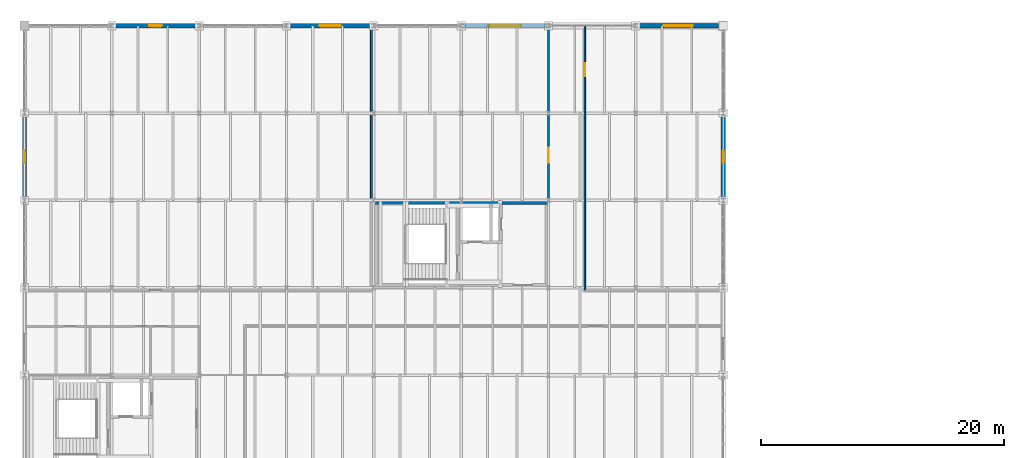
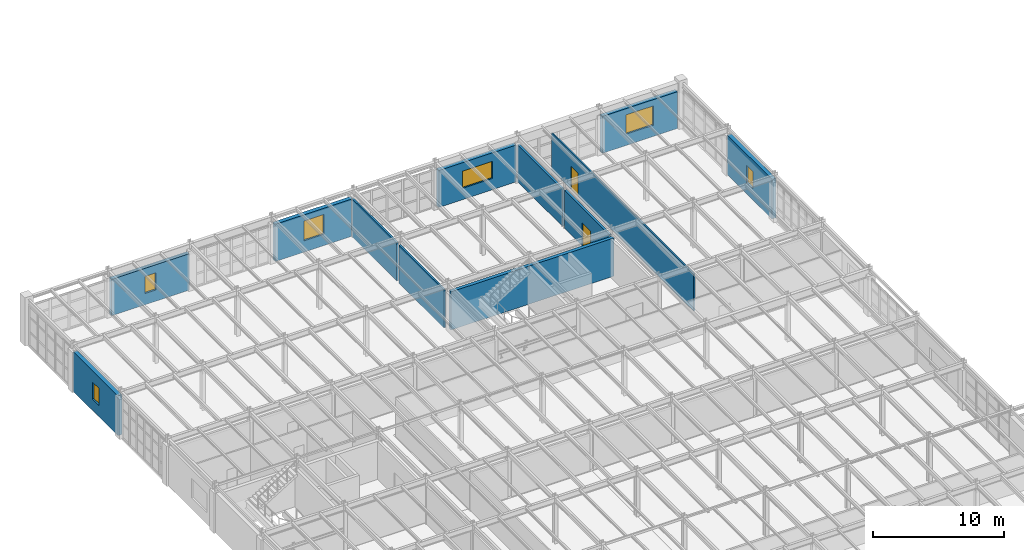
# One storey, part 127 of 137: 12 walls, 6 windows, 2 doors, 8 openings.
"""IFC4 building model written with IfcOpenShell, lengths in metres."""

from ifc_helpers import new_model, si_unit, direction, frame, frame_2d, origin, place, context, subcontext, project, spatial, rectangle, extrude, material, layer, layer_set, type_object, element, fill, save


model = new_model("IFC4")

# Units and contexts
model_context = context("Model", 3, precision=1e-05, world=origin(), true_north=direction((0.0, 1.0)))
body_context = subcontext(model_context, "Body", "Model", "MODEL_VIEW")
ifc_project = project(units=[si_unit("LENGTHUNIT", "METRE"), si_unit("AREAUNIT", "SQUARE_METRE"), si_unit("VOLUMEUNIT", "CUBIC_METRE"), si_unit("PLANEANGLEUNIT", "RADIAN"), si_unit("MASSUNIT", "GRAM", prefix="KILO")], contexts=[model_context])

# Site, building, storey
site_placement = place(None, origin())
site = spatial("IfcSite", under=ifc_project, at=site_placement, CompositionType="ELEMENT")
building_placement = place(site_placement, origin())
building = spatial("IfcBuilding", under=site, at=building_placement, Name="Kemerveld Promenade Tramway Depot", CompositionType="ELEMENT")
storey_placement = place(building_placement, frame((0.0, 0.0, 5.39990234375)))
storey = spatial("IfcBuildingStorey", under=building, at=storey_placement, Name="L01", CompositionType="ELEMENT", Elevation=5.39990234375)

# Wall
ifc_material_1 = material(Name="Concrete C40/50", Category="concrete")
ifc_layer_1 = layer(ifc_material_1, 0.300048828125)
ifc_layer_set_1 = layer_set([ifc_layer_1], Name="WL-CORE-300")
wall_type_1 = type_object("IfcWallType", Name="WL-CORE-300", PredefinedType="SHEAR", material=ifc_layer_set_1)
wall_1_placement = place(storey_placement, frame((28.85009765625, 64.60009765625, 0.0), z_axis=(0.0, 0.0, 1.0), x_axis=(1.0, 0.0, 0.0)))
element("IfcWall", 1, at=wall_1_placement, inside=storey, type_object=wall_type_1, Name="WL-C3-L01-N", PredefinedType="SHEAR", context=body_context, shape_type="SweptSolid", body=[
    extrude(rectangle(XDim=14.349853515625, YDim=0.300048828125, at=frame_2d((7.1748046875, 0.0))), origin(), (0.0, 0.0, 1.0), 3.550048828125),
])

# Wall, opening, window
ifc_material_2 = material(Name="Banded granite and red-ochre clay brick masonry", Category="masonry")
ifc_layer_2 = layer(ifc_material_2, 0.35009765625)
ifc_layer_set_2 = layer_set([ifc_layer_2], Name="WL-EXT-350")
wall_type_2 = type_object("IfcWallType", Name="WL-EXT-350", PredefinedType="SOLIDWALL", material=ifc_layer_set_2)
wall_2_placement = place(storey_placement, frame((0.0, 64.9833984375, 0.0), z_axis=(0.0, 0.0, 1.0), x_axis=(0.0, 1.0, 0.0)))
wall_2 = element("IfcWall", 2, at=wall_2_placement, inside=storey, type_object=wall_type_2, Name="WL-L01-V5W-10", PredefinedType="SOLIDWALL", context=body_context, shape_type="SweptSolid", body=[
    extrude(rectangle(XDim=6.8330078125, YDim=0.35009765625, at=frame_2d((3.41650390625, 0.0))), origin(), (0.0, 0.0, 1.0), 3.70361328125),
])
opening_1_placement = place(wall_2_placement, frame((2.916015625, 0.0, 1.050048828125)))
opening_1 = element("IfcOpeningElement", 3, at=opening_1_placement, cuts=wall_2, Name="Opening W-145", PredefinedType="OPENING", context=body_context, shape_type="SweptSolid", body=[
    extrude(rectangle(XDim=1.0, YDim=1.60009765625, at=frame_2d((0.5, 0.800048828125))), frame((0.0, 0.18505859375, 0.0), z_axis=(0.0, -1.0, 0.0), x_axis=(1.0, 0.0, 0.0)), (0.0, 0.0, 1.0), 0.3701171875),
])
ifc_material_3 = material(Name="Bronze anodised aluminium and low-e glass", Category="aluminium")
window_type_1 = type_object("IfcWindowType", Name="WN-20", PartitioningType="SINGLE_PANEL", PredefinedType="WINDOW", material=ifc_material_3)
window_1_placement = place(opening_1_placement, origin())
window_1 = element("IfcWindow", 4, at=window_1_placement, inside=storey, type_object=window_type_1, Name="WN-L01-V5W-10", OverallHeight=1.60009765625, OverallWidth=1.0, PartitioningType="SINGLE_PANEL", PredefinedType="WINDOW", context=body_context, shape_type="SweptSolid", body=[
    extrude(rectangle(XDim=1.0, YDim=1.60009765625, at=frame_2d((0.5, 0.800048828125))), frame((0.0, 0.030029296875, 0.0), z_axis=(0.0, -1.0, 0.0), x_axis=(1.0, 0.0, 0.0)), (0.0, 0.0, 1.0), 0.06005859375),
])
fill(opening_1, window_1)

wall_3_placement = place(storey_placement, frame((7.383544921875, 79.199951171875, 0.0), z_axis=(0.0, 0.0, 1.0), x_axis=(1.0, 0.0, 0.0)))
wall_3 = element("IfcWall", 5, at=wall_3_placement, inside=storey, type_object=wall_type_2, Name="WL-L01-V5N-02", PredefinedType="SOLIDWALL", context=body_context, shape_type="SweptSolid", body=[
    extrude(rectangle(XDim=6.8330078125, YDim=0.35009765625, at=frame_2d((3.41650390625, 0.0))), origin(), (0.0, 0.0, 1.0), 3.389404296875),
])
opening_2_placement = place(wall_3_placement, frame((2.916015625, 0.0, 1.050048828125)))
opening_2 = element("IfcOpeningElement", 6, at=opening_2_placement, cuts=wall_3, Name="Opening W-146", PredefinedType="OPENING", context=body_context, shape_type="SweptSolid", body=[
    extrude(rectangle(XDim=1.0, YDim=1.60009765625, at=frame_2d((0.5, 0.800048828125))), frame((0.0, 0.18505859375, 0.0), z_axis=(0.0, -1.0, 0.0), x_axis=(1.0, 0.0, 0.0)), (0.0, 0.0, 1.0), 0.3701171875),
])
window_2_placement = place(opening_2_placement, origin())
window_2 = element("IfcWindow", 7, at=window_2_placement, inside=storey, type_object=window_type_1, Name="WN-L01-V5N-02", OverallHeight=1.60009765625, OverallWidth=1.0, PartitioningType="SINGLE_PANEL", PredefinedType="WINDOW", context=body_context, shape_type="SweptSolid", body=[
    extrude(rectangle(XDim=1.0, YDim=1.60009765625, at=frame_2d((0.5, 0.800048828125))), frame((0.0, 0.030029296875, 0.0), z_axis=(0.0, -1.0, 0.0), x_axis=(1.0, 0.0, 0.0)), (0.0, 0.0, 1.0), 0.06005859375),
])
fill(opening_2, window_2)

wall_4_placement = place(storey_placement, frame((21.78369140625, 79.199951171875, 0.0), z_axis=(0.0, 0.0, 1.0), x_axis=(1.0, 0.0, 0.0)))
wall_4 = element("IfcWall", 8, at=wall_4_placement, inside=storey, type_object=wall_type_2, Name="WL-L01-V5N-04", PredefinedType="SOLIDWALL", context=body_context, shape_type="SweptSolid", body=[
    extrude(rectangle(XDim=6.832763671875, YDim=0.35009765625, at=frame_2d((3.41650390625, 0.0))), origin(), (0.0, 0.0, 1.0), 3.477783203125),
])
opening_3_placement = place(wall_4_placement, frame((2.541015625, 0.0, 1.050048828125)))
opening_3 = element("IfcOpeningElement", 9, at=opening_3_placement, cuts=wall_4, Name="Opening W-147", PredefinedType="OPENING", context=body_context, shape_type="SweptSolid", body=[
    extrude(rectangle(XDim=1.75, YDim=1.85009765625, at=frame_2d((0.875, 0.925048828125))), frame((0.0, 0.18505859375, 0.0), z_axis=(0.0, -1.0, 0.0), x_axis=(1.0, 0.0, 0.0)), (0.0, 0.0, 1.0), 0.3701171875),
])
window_type_2 = type_object("IfcWindowType", Name="WN-30", PartitioningType="SINGLE_PANEL", PredefinedType="WINDOW", material=ifc_material_3)
window_3_placement = place(opening_3_placement, origin())
window_3 = element("IfcWindow", 10, at=window_3_placement, inside=storey, type_object=window_type_2, Name="WN-L01-V5N-04", OverallHeight=1.85009765625, OverallWidth=1.75, PartitioningType="SINGLE_PANEL", PredefinedType="WINDOW", context=body_context, shape_type="SweptSolid", body=[
    extrude(rectangle(XDim=1.75, YDim=1.85009765625, at=frame_2d((0.875, 0.925048828125))), frame((0.0, 0.030029296875, 0.0), z_axis=(0.0, -1.0, 0.0), x_axis=(1.0, 0.0, 0.0)), (0.0, 0.0, 1.0), 0.06005859375),
])
fill(opening_3, window_3)

wall_5_placement = place(storey_placement, frame((36.18359375, 79.199951171875, 0.0), z_axis=(0.0, 0.0, 1.0), x_axis=(1.0, 0.0, 0.0)))
wall_5 = element("IfcWall", 11, at=wall_5_placement, inside=storey, type_object=wall_type_2, Name="WL-L01-V5N-06", PredefinedType="SOLIDWALL", context=body_context, shape_type="SweptSolid", body=[
    extrude(rectangle(XDim=6.8330078125, YDim=0.35009765625, at=frame_2d((3.41650390625, 0.0))), origin(), (0.0, 0.0, 1.0), 3.440185546875),
])
opening_4_placement = place(wall_5_placement, frame((2.091064453125, 0.0, 1.050048828125)))
opening_4 = element("IfcOpeningElement", 12, at=opening_4_placement, cuts=wall_5, Name="Opening W-148", PredefinedType="OPENING", context=body_context, shape_type="SweptSolid", body=[
    extrude(rectangle(XDim=2.64990234375, YDim=1.60009765625, at=frame_2d((1.324951171875, 0.800048828125))), frame((0.0, 0.18505859375, 0.0), z_axis=(0.0, -1.0, 0.0), x_axis=(1.0, 0.0, 0.0)), (0.0, 0.0, 1.0), 0.3701171875),
])
window_type_3 = type_object("IfcWindowType", Name="WN-40", PartitioningType="SINGLE_PANEL", PredefinedType="WINDOW", material=ifc_material_3)
window_4_placement = place(opening_4_placement, origin())
window_4 = element("IfcWindow", 13, at=window_4_placement, inside=storey, type_object=window_type_3, Name="WN-L01-V5N-06", OverallHeight=1.60009765625, OverallWidth=2.64990234375, PartitioningType="SINGLE_PANEL", PredefinedType="WINDOW", context=body_context, shape_type="SweptSolid", body=[
    extrude(rectangle(XDim=2.64990234375, YDim=1.60009765625, at=frame_2d((1.324951171875, 0.800048828125))), frame((0.0, 0.030029296875, 0.0), z_axis=(0.0, -1.0, 0.0), x_axis=(1.0, 0.0, 0.0)), (0.0, 0.0, 1.0), 0.06005859375),
])
fill(opening_4, window_4)

wall_6_placement = place(storey_placement, frame((50.58349609375, 79.199951171875, 0.0), z_axis=(0.0, 0.0, 1.0), x_axis=(1.0, 0.0, 0.0)))
wall_6 = element("IfcWall", 14, at=wall_6_placement, inside=storey, type_object=wall_type_2, Name="WL-L01-V5N-08", PredefinedType="SOLIDWALL", context=body_context, shape_type="SweptSolid", body=[
    extrude(rectangle(XDim=6.62158203125, YDim=0.35009765625, at=frame_2d((3.310791015625, 0.0))), origin(), (0.0, 0.0, 1.0), 3.440185546875),
])
opening_5_placement = place(wall_6_placement, frame((2.111083984375, 0.0, 1.050048828125)))
opening_5 = element("IfcOpeningElement", 15, at=opening_5_placement, cuts=wall_6, Name="Opening W-149", PredefinedType="OPENING", context=body_context, shape_type="SweptSolid", body=[
    extrude(rectangle(XDim=2.39990234375, YDim=1.800048828125, at=frame_2d((1.199951171875, 0.89990234375))), frame((0.0, 0.18505859375, 0.0), z_axis=(0.0, -1.0, 0.0), x_axis=(1.0, 0.0, 0.0)), (0.0, 0.0, 1.0), 0.3701171875),
])
window_type_4 = type_object("IfcWindowType", Name="WN-10", PartitioningType="SINGLE_PANEL", PredefinedType="WINDOW", material=ifc_material_3)
window_5_placement = place(opening_5_placement, origin())
window_5 = element("IfcWindow", 16, at=window_5_placement, inside=storey, type_object=window_type_4, Name="WN-L01-V5N-08", OverallHeight=1.800048828125, OverallWidth=2.39990234375, PartitioningType="SINGLE_PANEL", PredefinedType="WINDOW", context=body_context, shape_type="SweptSolid", body=[
    extrude(rectangle(XDim=2.39990234375, YDim=1.800048828125, at=frame_2d((1.199951171875, 0.89990234375))), frame((0.0, 0.030029296875, 0.0), z_axis=(0.0, -1.0, 0.0), x_axis=(1.0, 0.0, 0.0)), (0.0, 0.0, 1.0), 0.06005859375),
])
fill(opening_5, window_5)

wall_7_placement = place(storey_placement, frame((57.60009765625, 71.81640625, 0.0), z_axis=(0.0, 0.0, 1.0), x_axis=(0.0, -1.0, 0.0)))
wall_7 = element("IfcWall", 17, at=wall_7_placement, inside=storey, type_object=wall_type_2, Name="WL-L01-V5E-02", PredefinedType="SOLIDWALL", context=body_context, shape_type="SweptSolid", body=[
    extrude(rectangle(XDim=6.8330078125, YDim=0.35009765625, at=frame_2d((3.41650390625, 0.0))), origin(), (0.0, 0.0, 1.0), 3.70361328125),
])
opening_6_placement = place(wall_7_placement, frame((2.916015625, 0.0, 1.050048828125)))
opening_6 = element("IfcOpeningElement", 18, at=opening_6_placement, cuts=wall_7, Name="Opening W-150", PredefinedType="OPENING", context=body_context, shape_type="SweptSolid", body=[
    extrude(rectangle(XDim=1.0, YDim=1.60009765625, at=frame_2d((0.5, 0.800048828125))), frame((0.0, 0.18505859375, 0.0), z_axis=(0.0, -1.0, 0.0), x_axis=(1.0, 0.0, 0.0)), (0.0, 0.0, 1.0), 0.3701171875),
])
window_6_placement = place(opening_6_placement, origin())
window_6 = element("IfcWindow", 19, at=window_6_placement, inside=storey, type_object=window_type_1, Name="WN-L01-V5E-02", OverallHeight=1.60009765625, OverallWidth=1.0, PartitioningType="SINGLE_PANEL", PredefinedType="WINDOW", context=body_context, shape_type="SweptSolid", body=[
    extrude(rectangle(XDim=1.0, YDim=1.60009765625, at=frame_2d((0.5, 0.800048828125))), frame((0.0, 0.030029296875, 0.0), z_axis=(0.0, -1.0, 0.0), x_axis=(1.0, 0.0, 0.0)), (0.0, 0.0, 1.0), 0.06005859375),
])
fill(opening_6, window_6)

# Wall, opening, door
ifc_material_4 = material(Name="Moisture-resistant masonry partition", Category="masonry")
ifc_layer_3 = layer(ifc_material_4, 0.1298828125)
ifc_layer_set_3 = layer_set([ifc_layer_3], Name="WL-PRT-130")
wall_type_3 = type_object("IfcWallType", Name="WL-PRT-130", PredefinedType="PARTITIONING", material=ifc_layer_set_3)
wall_8_placement = place(storey_placement, frame((46.199951171875, 57.39990234375, 0.0), z_axis=(0.0, 0.0, 1.0), x_axis=(0.0, 1.0, 0.0)))
wall_8 = element("IfcWall", 20, at=wall_8_placement, inside=storey, type_object=wall_type_3, Name="WL-PRT-RM-L01-V5-RECS", PredefinedType="PARTITIONING", context=body_context, shape_type="SweptSolid", body=[
    extrude(rectangle(XDim=21.7001953125, YDim=0.1298828125, at=frame_2d((10.85009765625, 0.0))), origin(), (0.0, 0.0, 1.0), 3.43505859375),
])
opening_7_placement = place(wall_8_placement, frame((17.6279296875, 0.0, 0.0)))
opening_7 = element("IfcOpeningElement", 21, at=opening_7_placement, cuts=wall_8, Name="Opening D-653", PredefinedType="OPENING", context=body_context, shape_type="SweptSolid", body=[
    extrude(rectangle(XDim=1.080078125, YDim=2.14990234375, at=frame_2d((0.5400390625, 1.074951171875))), frame((0.0, 0.074951171875, 0.0), z_axis=(0.0, -1.0, 0.0), x_axis=(1.0, 0.0, 0.0)), (0.0, 0.0, 1.0), 0.14990234375),
])
ifc_material_5 = material(Name="Glazed seminar door")
door_type_1 = type_object("IfcDoorType", Name="DR-INT11", OperationType="NOTDEFINED", PredefinedType="DOOR", material=ifc_material_5)
door_1_placement = place(opening_7_placement, origin())
door_1 = element("IfcDoor", 22, at=door_1_placement, inside=storey, type_object=door_type_1, Name="DR-RM-RM-L01-V5-RECS", OperationType="SINGLE_SWING_RIGHT", OverallHeight=2.14990234375, OverallWidth=1.080078125, PredefinedType="DOOR", context=body_context, shape_type="SweptSolid", body=[
    extrude(rectangle(XDim=1.080078125, YDim=2.14990234375, at=frame_2d((0.5400390625, 1.074951171875))), frame((0.0, 0.02490234375, 0.0), z_axis=(0.0, -1.0, 0.0), x_axis=(1.0, 0.0, 0.0)), (0.0, 0.0, 1.0), 0.050048828125),
])
fill(opening_7, door_1)

# Walls
ifc_material_6 = material(Name="Acoustic twin-stud gypsum partition")
ifc_layer_4 = layer(ifc_material_6, 0.159912109375)
ifc_layer_set_4 = layer_set([ifc_layer_4], Name="WL-PRT-160")
wall_type_4 = type_object("IfcWallType", Name="WL-PRT-160", PredefinedType="PARTITIONING", material=ifc_layer_set_4)
wall_9_placement = place(storey_placement, frame((28.60009765625, 64.966064453125, 0.0), z_axis=(0.0, 0.0, 1.0), x_axis=(0.0, 1.0, 0.0)))
element("IfcWall", 23, at=wall_9_placement, inside=storey, type_object=wall_type_4, Name="WL-DIV-L01-040", PredefinedType="PARTITIONING", context=body_context, shape_type="SweptSolid", body=[
    extrude(rectangle(XDim=6.867919921875, YDim=0.159912109375, at=frame_2d((3.43408203125, 0.0))), origin(), (0.0, 0.0, 1.0), 3.550048828125),
])
wall_10_placement = place(storey_placement, frame((28.60009765625, 72.166015625, 0.0), z_axis=(0.0, 0.0, 1.0), x_axis=(0.0, 1.0, 0.0)))
element("IfcWall", 24, at=wall_10_placement, inside=storey, type_object=wall_type_4, Name="WL-DIV-L01-041", PredefinedType="PARTITIONING", context=body_context, shape_type="SweptSolid", body=[
    extrude(rectangle(XDim=6.85888671875, YDim=0.159912109375, at=frame_2d((3.429443359375, 0.0))), origin(), (0.0, 0.0, 1.0), 3.550048828125),
])

# Wall, opening, door
ifc_material_7 = material(Name="Plant and substation fire partition")
ifc_layer_5 = layer(ifc_material_7, 0.18994140625)
ifc_layer_set_5 = layer_set([ifc_layer_5], Name="WL-PRT-190")
wall_type_5 = type_object("IfcWallType", Name="WL-PRT-190", PredefinedType="PARTITIONING", material=ifc_layer_set_5)
wall_11_placement = place(storey_placement, frame((43.199951171875, 64.966064453125, 0.0), z_axis=(0.0, 0.0, 1.0), x_axis=(0.0, 1.0, 0.0)))
wall_11 = element("IfcWall", 25, at=wall_11_placement, inside=storey, type_object=wall_type_5, Name="WL-PRT-RM-L01-V5-AHU", PredefinedType="PARTITIONING", context=body_context, shape_type="SweptSolid", body=[
    extrude(rectangle(XDim=6.867919921875, YDim=0.18994140625, at=frame_2d((3.43408203125, 0.0))), origin(), (0.0, 0.0, 1.0), 3.550048828125),
])
opening_8_placement = place(wall_11_placement, frame((2.926025390625, 0.0, 0.0)))
opening_8 = element("IfcOpeningElement", 26, at=opening_8_placement, cuts=wall_11, Name="Opening D-652", PredefinedType="OPENING", context=body_context, shape_type="SweptSolid", body=[
    extrude(rectangle(XDim=1.25, YDim=2.14990234375, at=frame_2d((0.625, 1.074951171875))), frame((0.0, 0.10498046875, 0.0), z_axis=(0.0, -1.0, 0.0), x_axis=(1.0, 0.0, 0.0)), (0.0, 0.0, 1.0), 0.2099609375),
])
ifc_material_8 = material(Name="Steel plant room fire door", Category="steel")
door_type_2 = type_object("IfcDoorType", Name="DR-FD60C", OperationType="NOTDEFINED", PredefinedType="DOOR", material=ifc_material_8)
door_2_placement = place(opening_8_placement, origin())
door_2 = element("IfcDoor", 27, at=door_2_placement, inside=storey, type_object=door_type_2, Name="DR-RM-RM-L01-V5-AHU", OperationType="SINGLE_SWING_LEFT", OverallHeight=2.14990234375, OverallWidth=1.25, PredefinedType="DOOR", context=body_context, shape_type="SweptSolid", body=[
    extrude(rectangle(XDim=1.25, YDim=2.14990234375, at=frame_2d((0.625, 1.074951171875))), frame((0.0, 0.02490234375, 0.0), z_axis=(0.0, -1.0, 0.0), x_axis=(1.0, 0.0, 0.0)), (0.0, 0.0, 1.0), 0.050048828125),
])
fill(opening_8, door_2)

# Wall
wall_12_placement = place(storey_placement, frame((43.199951171875, 72.166015625, 0.0), z_axis=(0.0, 0.0, 1.0), x_axis=(0.0, 1.0, 0.0)))
element("IfcWall", 28, at=wall_12_placement, inside=storey, type_object=wall_type_5, Name="WL-PRT-RM-L01-V5-AHU-S2", PredefinedType="PARTITIONING", context=body_context, shape_type="SweptSolid", body=[
    extrude(rectangle(XDim=6.85888671875, YDim=0.18994140625, at=frame_2d((3.429443359375, 0.0))), origin(), (0.0, 0.0, 1.0), 3.43505859375),
])

save(model, "model.ifc")
